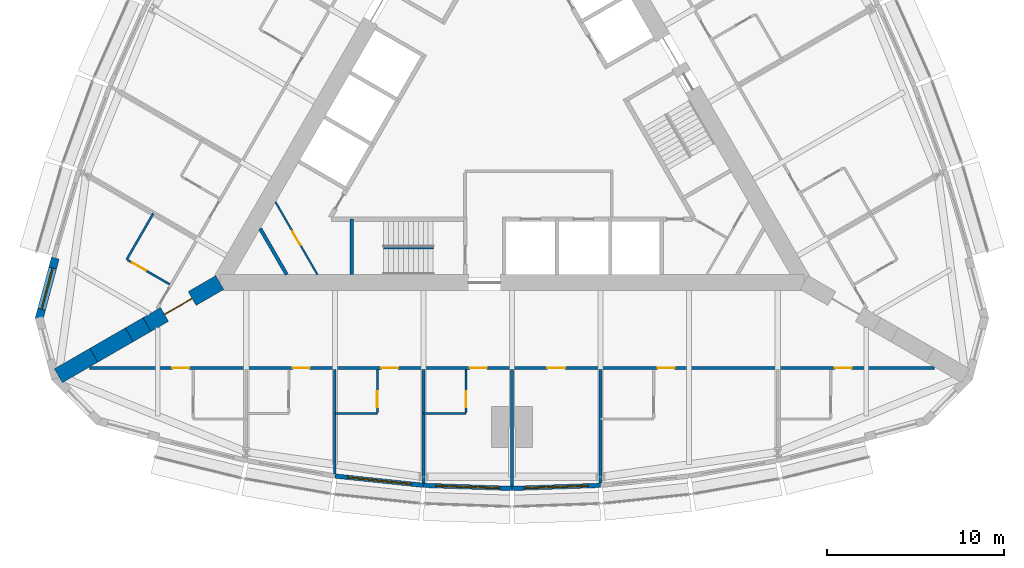
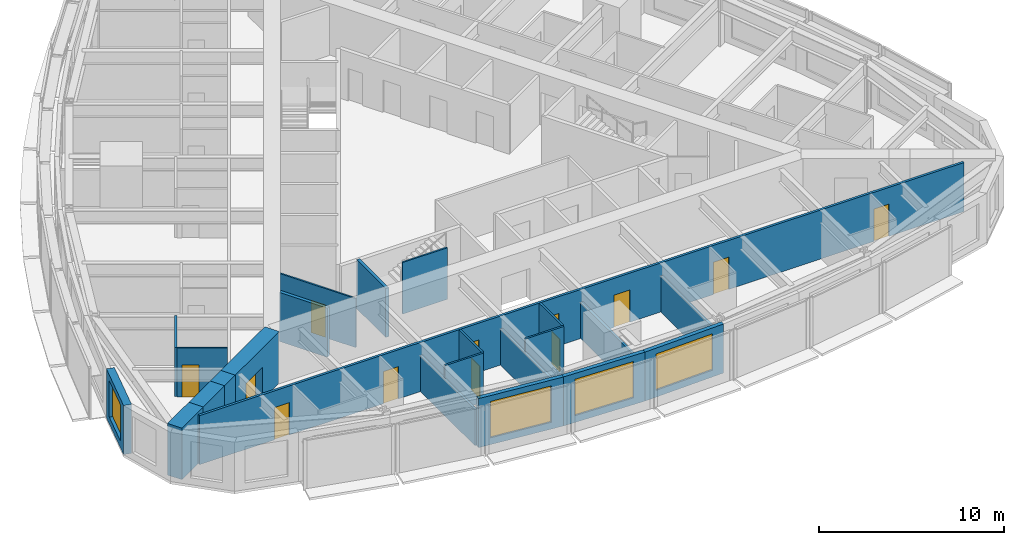
# One storey, part 8 of 14: 23 walls, 12 doors, 4 windows, 16 openings.
"""IFC4 building model written with IfcOpenShell, lengths in metres."""

from ifc_helpers import new_model, si_unit, direction, frame, frame_2d, origin, place, context, subcontext, project, spatial, rectangle, extrude, material, layer, layer_set, type_object, element, fill, save


model = new_model("IFC4")

# Units and contexts
model_context = context("Model", 3, precision=1e-05, world=origin(), true_north=direction((0.0, 1.0)))
body_context = subcontext(model_context, "Body", "Model", "MODEL_VIEW")
ifc_project = project(units=[si_unit("LENGTHUNIT", "METRE"), si_unit("AREAUNIT", "SQUARE_METRE"), si_unit("VOLUMEUNIT", "CUBIC_METRE"), si_unit("PLANEANGLEUNIT", "RADIAN"), si_unit("MASSUNIT", "GRAM", prefix="KILO")], contexts=[model_context])

# Site, building, storey
site_placement = place(None, origin())
site = spatial("IfcSite", under=ifc_project, at=site_placement, CompositionType="ELEMENT")
building_placement = place(site_placement, origin())
building = spatial("IfcBuilding", under=site, at=building_placement, Name="Trikona Tower", CompositionType="ELEMENT")
storey_placement = place(building_placement, frame((0.0, 0.0, 114.699951171875)))
storey = spatial("IfcBuildingStorey", under=building, at=storey_placement, Name="L29", CompositionType="ELEMENT", Elevation=114.699951171875)

# Wall
ifc_material_1 = material(Name="Metal stud and cement board", Category="gypsum")
ifc_layer_1 = layer(ifc_material_1, 0.1201171875)
ifc_layer_set_1 = layer_set([ifc_layer_1], Name="Bathroom wall 120")
wall_type_1 = type_object("IfcWallType", Name="Bathroom wall 120", PredefinedType="PLUMBINGWALL", material=ifc_layer_set_1)
wall_1_placement = place(storey_placement, frame((-10.0, -16.92626953125, 0.0), z_axis=(0.0, 0.0, 1.0), x_axis=(1.0, 0.0, 0.0)))
element("IfcWall", 1, at=wall_1_placement, inside=storey, type_object=wall_type_1, Name="Bathroom wall 2903", PredefinedType="PLUMBINGWALL", context=body_context, shape_type="SweptSolid", body=[
    extrude(rectangle(XDim=2.39990234375, YDim=0.1201171875, at=frame_2d((1.199951171875, 0.0))), origin(), (0.0, 0.0, 1.0), 3.235107421875),
])

# Wall, opening, door
wall_2_placement = place(storey_placement, frame((-7.60009765625, -14.42626953125, 0.0), z_axis=(0.0, 0.0, 1.0), x_axis=(0.0, -1.0, 0.0)))
wall_2 = element("IfcWall", 2, at=wall_2_placement, inside=storey, type_object=wall_type_1, Name="Bathroom wall 2903", PredefinedType="PLUMBINGWALL", context=body_context, shape_type="SweptSolid", body=[
    extrude(rectangle(XDim=2.43994140625, YDim=0.1201171875, at=frame_2d((1.219970703125, 0.0))), origin(), (0.0, 0.0, 1.0), 3.235107421875),
])
opening_1_placement = place(wall_2_placement, frame((1.25, 0.0, 0.0)))
opening_1 = element("IfcOpeningElement", 3, at=opening_1_placement, cuts=wall_2, Name="Opening D2", PredefinedType="OPENING", context=body_context, shape_type="SweptSolid", body=[
    extrude(rectangle(XDim=0.89990234375, YDim=2.1298828125, at=frame_2d((0.449951171875, 1.06494140625))), frame((0.0, 0.070068359375, 0.0), z_axis=(0.0, -1.0, 0.0), x_axis=(1.0, 0.0, 0.0)), (0.0, 0.0, 1.0), 0.14013671875),
])
ifc_material_2 = material(Name="Steel door frame with solid-core timber leaf", Category="steel")
door_type_1 = type_object("IfcDoorType", Name="Bathroom door 900x2130", OperationType="SLIDING_TO_LEFT", PredefinedType="DOOR", material=ifc_material_2)
door_1_placement = place(opening_1_placement, origin())
door_1 = element("IfcDoor", 4, at=door_1_placement, inside=storey, type_object=door_type_1, Name="Bathroom door 2903", OperationType="SLIDING_TO_LEFT", OverallHeight=2.1298828125, OverallWidth=0.89990234375, PredefinedType="DOOR", context=body_context, shape_type="SweptSolid", body=[
    extrude(rectangle(XDim=0.89990234375, YDim=2.1298828125, at=frame_2d((0.449951171875, 1.06494140625))), frame((0.0, 0.02490234375, 0.0), z_axis=(0.0, -1.0, 0.0), x_axis=(1.0, 0.0, 0.0)), (0.0, 0.0, 1.0), 0.050048828125),
])
fill(opening_1, door_1)

# Wall
wall_3_placement = place(storey_placement, frame((-5.0, -16.92626953125, 0.0), z_axis=(0.0, 0.0, 1.0), x_axis=(1.0, 0.0, 0.0)))
element("IfcWall", 5, at=wall_3_placement, inside=storey, type_object=wall_type_1, Name="Bathroom wall 2904", PredefinedType="PLUMBINGWALL", context=body_context, shape_type="SweptSolid", body=[
    extrude(rectangle(XDim=2.39990234375, YDim=0.1201171875, at=frame_2d((1.199951171875, 0.0))), origin(), (0.0, 0.0, 1.0), 3.235107421875),
])

# Wall, opening, door
wall_4_placement = place(storey_placement, frame((-2.60009765625, -14.42626953125, 0.0), z_axis=(0.0, 0.0, 1.0), x_axis=(0.0, -1.0, 0.0)))
wall_4 = element("IfcWall", 6, at=wall_4_placement, inside=storey, type_object=wall_type_1, Name="Bathroom wall 2904", PredefinedType="PLUMBINGWALL", context=body_context, shape_type="SweptSolid", body=[
    extrude(rectangle(XDim=2.43994140625, YDim=0.1201171875, at=frame_2d((1.219970703125, 0.0))), origin(), (0.0, 0.0, 1.0), 3.235107421875),
])
opening_2_placement = place(wall_4_placement, frame((1.25, 0.0, 0.0)))
opening_2 = element("IfcOpeningElement", 7, at=opening_2_placement, cuts=wall_4, Name="Opening D2", PredefinedType="OPENING", context=body_context, shape_type="SweptSolid", body=[
    extrude(rectangle(XDim=0.89990234375, YDim=2.1298828125, at=frame_2d((0.449951171875, 1.06494140625))), frame((0.0, 0.070068359375, 0.0), z_axis=(0.0, -1.0, 0.0), x_axis=(1.0, 0.0, 0.0)), (0.0, 0.0, 1.0), 0.14013671875),
])
door_2_placement = place(opening_2_placement, origin())
door_2 = element("IfcDoor", 8, at=door_2_placement, inside=storey, type_object=door_type_1, Name="Bathroom door 2904", OperationType="SLIDING_TO_LEFT", OverallHeight=2.1298828125, OverallWidth=0.89990234375, PredefinedType="DOOR", context=body_context, shape_type="SweptSolid", body=[
    extrude(rectangle(XDim=0.89990234375, YDim=2.1298828125, at=frame_2d((0.449951171875, 1.06494140625))), frame((0.0, 0.02490234375, 0.0), z_axis=(0.0, -1.0, 0.0), x_axis=(1.0, 0.0, 0.0)), (0.0, 0.0, 1.0), 0.050048828125),
])
fill(opening_2, door_2)

# Wall
wall_5_placement = place(storey_placement, frame((-20.25341796875, -5.627197265625, 0.0), z_axis=(0.0, 0.0, 1.0), x_axis=(-0.499990139034, -0.866031096941, 0.0)))
element("IfcWall", 9, at=wall_5_placement, inside=storey, type_object=wall_type_1, Name="Bathroom wall 2919", PredefinedType="PLUMBINGWALL", context=body_context, shape_type="SweptSolid", body=[
    extrude(rectangle(XDim=3.0, YDim=0.1201171875, at=frame_2d((1.5, 0.0))), origin(), (0.0, 0.0, 1.0), 3.235107421875),
])

# Wall, opening, door
wall_6_placement = place(storey_placement, frame((-19.32861328125, -9.625244140625, 0.0), z_axis=(0.0, 0.0, 1.0), x_axis=(-0.866035715982, 0.499982138324, 0.0)))
wall_6 = element("IfcWall", 10, at=wall_6_placement, inside=storey, type_object=wall_type_1, Name="Bathroom wall 2919", PredefinedType="PLUMBINGWALL", context=body_context, shape_type="SweptSolid", body=[
    extrude(rectangle(XDim=2.73974609375, YDim=0.1201171875, at=frame_2d((1.369873046875, 0.0))), origin(), (0.0, 0.0, 1.0), 3.235107421875),
])
opening_3_placement = place(wall_6_placement, frame((1.550048828125, 0.0, 0.0)))
opening_3 = element("IfcOpeningElement", 11, at=opening_3_placement, cuts=wall_6, Name="Opening D2", PredefinedType="OPENING", context=body_context, shape_type="SweptSolid", body=[
    extrude(rectangle(XDim=0.89990234375, YDim=2.1298828125, at=frame_2d((0.449951171875, 1.06494140625))), frame((0.0, 0.070068359375, 0.0), z_axis=(0.0, -1.0, 0.0), x_axis=(1.0, 0.0, 0.0)), (0.0, 0.0, 1.0), 0.14013671875),
])
door_3_placement = place(opening_3_placement, origin())
door_3 = element("IfcDoor", 12, at=door_3_placement, inside=storey, type_object=door_type_1, Name="Bathroom door 2919", OperationType="SLIDING_TO_LEFT", OverallHeight=2.1298828125, OverallWidth=0.89990234375, PredefinedType="DOOR", context=body_context, shape_type="SweptSolid", body=[
    extrude(rectangle(XDim=0.89990234375, YDim=2.1298828125, at=frame_2d((0.449951171875, 1.06494140625))), frame((0.0, 0.02490234375, 0.0), z_axis=(0.0, -1.0, 0.0), x_axis=(1.0, 0.0, 0.0)), (0.0, 0.0, 1.0), 0.050048828125),
])
fill(opening_3, door_3)

# Wall, opening, window
ifc_material_3 = material(Name="Brick-faced precast concrete", Category="masonry")
ifc_layer_2 = layer(ifc_material_3, 0.449951171875)
ifc_layer_set_2 = layer_set([ifc_layer_2], Name="Brick-faced corner wall 450")
wall_type_2 = type_object("IfcWallType", Name="Brick-faced corner wall 450", PredefinedType="SOLIDWALL", material=ifc_layer_set_2)
wall_7_placement = place(storey_placement, frame((-25.78271484375, -8.14111328125, 0.0), z_axis=(0.0, 0.0, 1.0), x_axis=(-0.258823421857, -0.965924653531, 0.0)))
wall_7 = element("IfcWall", 13, at=wall_7_placement, inside=storey, type_object=wall_type_2, Name="External wall L29-32", PredefinedType="SOLIDWALL", context=body_context, shape_type="SweptSolid", body=[
    extrude(rectangle(XDim=3.58642578125, YDim=0.449951171875, at=frame_2d((1.793212890625, 0.0))), origin(), (0.0, 0.0, 1.0), 3.235107421875),
])
opening_4_placement = place(wall_7_placement, frame((0.593017578125, 0.0, 0.449951171875)))
opening_4 = element("IfcOpeningElement", 14, at=opening_4_placement, cuts=wall_7, Name="Opening W2424", PredefinedType="OPENING", context=body_context, shape_type="SweptSolid", body=[
    extrude(rectangle(XDim=2.39990234375, YDim=2.39990234375, at=frame_2d((1.199951171875, 1.199951171875))), frame((0.0, 0.23486328125, 0.0), z_axis=(0.0, -1.0, 0.0), x_axis=(1.0, 0.0, 0.0)), (0.0, 0.0, 1.0), 0.469970703125),
])
ifc_material_4 = material(Name="Aluminium-framed double glazing", Category="aluminium")
window_type_1 = type_object("IfcWindowType", Name="Window 2400x2400", PartitioningType="SINGLE_PANEL", PredefinedType="WINDOW", material=ifc_material_4)
window_1_placement = place(opening_4_placement, origin())
window_1 = element("IfcWindow", 15, at=window_1_placement, inside=storey, type_object=window_type_1, Name="Window 2919", OverallHeight=2.39990234375, OverallWidth=2.39990234375, PartitioningType="SINGLE_PANEL", PredefinedType="WINDOW", context=body_context, shape_type="SweptSolid", body=[
    extrude(rectangle(XDim=2.39990234375, YDim=2.39990234375, at=frame_2d((1.199951171875, 1.199951171875))), frame((0.0, 0.030029296875, 0.0), z_axis=(0.0, -1.0, 0.0), x_axis=(1.0, 0.0, 0.0)), (0.0, 0.0, 1.0), 0.06005859375),
])
fill(opening_4, window_1)

# Wall, opening, door
ifc_material_5 = material(Name="Concrete f'c 10000 psi", Category="concrete")
ifc_layer_3 = layer(ifc_material_5, 0.89990234375)
ifc_layer_set_3 = layer_set([ifc_layer_3], Name="Buttress wall 900")
wall_type_3 = type_object("IfcWallType", Name="Buttress wall 900", PredefinedType="SHEAR", material=ifc_layer_set_3)
wall_8_placement = place(storey_placement, frame((-16.5, -9.5263671875, 0.0), z_axis=(0.0, 0.0, 1.0), x_axis=(-0.866031398331, -0.499989616998, 0.0)))
wall_8 = element("IfcWall", 16, at=wall_8_placement, inside=storey, type_object=wall_type_3, Name="Buttress wall 3", PredefinedType="SHEAR", context=body_context, shape_type="SweptSolid", body=[
    extrude(rectangle(XDim=4.74609375, YDim=0.89990234375, at=frame_2d((2.373046875, 0.0))), origin(), (0.0, 0.0, 1.0), 3.400146484375),
])
opening_5_placement = place(wall_8_placement, frame((1.800048828125, 0.0, 0.0)))
opening_5 = element("IfcOpeningElement", 17, at=opening_5_placement, cuts=wall_8, Name="Opening D10", PredefinedType="OPENING", context=body_context, shape_type="SweptSolid", body=[
    extrude(rectangle(XDim=1.800048828125, YDim=2.1298828125, at=frame_2d((0.89990234375, 1.06494140625))), frame((0.0, 0.4599609375, 0.0), z_axis=(0.0, -1.0, 0.0), x_axis=(1.0, 0.0, 0.0)), (0.0, 0.0, 1.0), 0.919921875),
])
ifc_material_6 = material(Name="Hollow metal door and frame", Category="steel")
door_type_2 = type_object("IfcDoorType", Name="Cross-corridor door pair 1800x2130", OperationType="DOUBLE_DOOR_DOUBLE_SWING", PredefinedType="DOOR", material=ifc_material_6)
door_4_placement = place(opening_5_placement, origin())
door_4 = element("IfcDoor", 18, at=door_4_placement, inside=storey, type_object=door_type_2, Name="Cross-corridor door 3", OperationType="DOUBLE_DOOR_DOUBLE_SWING", OverallHeight=2.1298828125, OverallWidth=1.800048828125, PredefinedType="DOOR", context=body_context, shape_type="SweptSolid", body=[
    extrude(rectangle(XDim=1.800048828125, YDim=2.1298828125, at=frame_2d((0.89990234375, 1.06494140625))), frame((0.0, 0.02490234375, 0.0), z_axis=(0.0, -1.0, 0.0), x_axis=(1.0, 0.0, 0.0)), (0.0, 0.0, 1.0), 0.050048828125),
])
fill(opening_5, door_4)

# Walls
wall_9_placement = place(storey_placement, frame((-20.6103515625, -11.8994140625, 0.0), z_axis=(0.0, 0.0, 1.0), x_axis=(-0.866009537788, -0.500027479704, 0.0)))
element("IfcWall", 19, at=wall_9_placement, inside=storey, type_object=wall_type_3, Name="Buttress wall 3 part 2", PredefinedType="SHEAR", context=body_context, shape_type="SweptSolid", body=[
    extrude(rectangle(XDim=1.15478515625, YDim=0.89990234375, at=frame_2d((0.577392578125, 0.0))), origin(), (0.0, 0.0, 1.0), 3.400146484375),
])
for number, where, z_axis, x_axis, name in (
    (20, (-21.6103515625, -12.476806640625, 0.0), (0.0, 0.0, 1.0), (-0.866055313784, -0.499948190782, 0.0), "Buttress wall 3 part 3"),
    (21, (-23.6103515625, -13.63134765625, 0.0), (0.0, 0.0, 1.0), (-0.866009537788, -0.500027479704, 0.0), "Buttress wall 3 part 4"),
):
    element("IfcWall", number, at=place(storey_placement, frame(where, z_axis=z_axis, x_axis=x_axis)), inside=storey, type_object=wall_type_3, Name=name, PredefinedType="SHEAR", context=body_context, shape_type="SweptSolid", body=[
        extrude(rectangle(XDim=2.309326171875, YDim=0.89990234375, at=frame_2d((1.15478515625, 0.0))), origin(), (0.0, 0.0, 1.0), 3.400146484375),
    ])

# Wall, openings, doors
ifc_material_7 = material(Name="Metal stud and gypsum board, 1-hour", Category="gypsum")
ifc_layer_4 = layer(ifc_material_7, 0.14990234375)
ifc_layer_set_4 = layer_set([ifc_layer_4], Name="Corridor wall 150")
wall_type_4 = type_object("IfcWallType", Name="Corridor wall 150", PredefinedType="PARTITIONING", material=ifc_layer_set_4)
wall_10_placement = place(storey_placement, frame((-23.857177734375, -14.351318359375, 0.0), z_axis=(0.0, 0.0, 1.0), x_axis=(1.0, 0.0, 0.0)))
wall_10 = element("IfcWall", 22, at=wall_10_placement, inside=storey, type_object=wall_type_4, Name="Corridor wall L29-1", PredefinedType="PARTITIONING", context=body_context, shape_type="SweptSolid", body=[
    extrude(rectangle(XDim=47.71435546875, YDim=0.14990234375, at=frame_2d((23.857177734375, 0.0))), origin(), (0.0, 0.0, 1.0), 3.235107421875),
])
opening_6_placement = place(wall_10_placement, frame((4.68212890625, 0.0, 0.0)))
opening_6 = element("IfcOpeningElement", 23, at=opening_6_placement, cuts=wall_10, Name="Opening D1", PredefinedType="OPENING", context=body_context, shape_type="SweptSolid", body=[
    extrude(rectangle(XDim=0.949951171875, YDim=2.1298828125, at=frame_2d((0.47509765625, 1.06494140625))), frame((0.0, 0.0849609375, 0.0), z_axis=(0.0, -1.0, 0.0), x_axis=(1.0, 0.0, 0.0)), (0.0, 0.0, 1.0), 0.169921875),
])
opening_7_placement = place(wall_10_placement, frame((11.482177734375, 0.0, 0.0)))
opening_7 = element("IfcOpeningElement", 24, at=opening_7_placement, cuts=wall_10, Name="Opening D1", PredefinedType="OPENING", context=body_context, shape_type="SweptSolid", body=[
    extrude(rectangle(XDim=0.949951171875, YDim=2.1298828125, at=frame_2d((0.47509765625, 1.06494140625))), frame((0.0, 0.0849609375, 0.0), z_axis=(0.0, -1.0, 0.0), x_axis=(1.0, 0.0, 0.0)), (0.0, 0.0, 1.0), 0.169921875),
])
opening_8_placement = place(wall_10_placement, frame((16.482177734375, 0.0, 0.0)))
opening_8 = element("IfcOpeningElement", 25, at=opening_8_placement, cuts=wall_10, Name="Opening D1", PredefinedType="OPENING", context=body_context, shape_type="SweptSolid", body=[
    extrude(rectangle(XDim=0.949951171875, YDim=2.1298828125, at=frame_2d((0.47509765625, 1.06494140625))), frame((0.0, 0.0849609375, 0.0), z_axis=(0.0, -1.0, 0.0), x_axis=(1.0, 0.0, 0.0)), (0.0, 0.0, 1.0), 0.169921875),
])
opening_9_placement = place(wall_10_placement, frame((21.482177734375, 0.0, 0.0)))
opening_9 = element("IfcOpeningElement", 26, at=opening_9_placement, cuts=wall_10, Name="Opening D1", PredefinedType="OPENING", context=body_context, shape_type="SweptSolid", body=[
    extrude(rectangle(XDim=0.949951171875, YDim=2.1298828125, at=frame_2d((0.47509765625, 1.06494140625))), frame((0.0, 0.0849609375, 0.0), z_axis=(0.0, -1.0, 0.0), x_axis=(1.0, 0.0, 0.0)), (0.0, 0.0, 1.0), 0.169921875),
])
opening_10_placement = place(wall_10_placement, frame((25.857177734375, 0.0, 0.0)))
opening_10 = element("IfcOpeningElement", 27, at=opening_10_placement, cuts=wall_10, Name="Opening D3", PredefinedType="OPENING", context=body_context, shape_type="SweptSolid", body=[
    extrude(rectangle(XDim=1.0, YDim=2.1298828125, at=frame_2d((0.5, 1.06494140625))), frame((0.0, 0.0849609375, 0.0), z_axis=(0.0, -1.0, 0.0), x_axis=(1.0, 0.0, 0.0)), (0.0, 0.0, 1.0), 0.169921875),
])
opening_11_placement = place(wall_10_placement, frame((32.08203125, 0.0, 0.0)))
opening_11 = element("IfcOpeningElement", 28, at=opening_11_placement, cuts=wall_10, Name="Opening D1", PredefinedType="OPENING", context=body_context, shape_type="SweptSolid", body=[
    extrude(rectangle(XDim=0.949951171875, YDim=2.1298828125, at=frame_2d((0.47509765625, 1.06494140625))), frame((0.0, 0.0849609375, 0.0), z_axis=(0.0, -1.0, 0.0), x_axis=(1.0, 0.0, 0.0)), (0.0, 0.0, 1.0), 0.169921875),
])
opening_12_placement = place(wall_10_placement, frame((42.08203125, 0.0, 0.0)))
opening_12 = element("IfcOpeningElement", 29, at=opening_12_placement, cuts=wall_10, Name="Opening D1", PredefinedType="OPENING", context=body_context, shape_type="SweptSolid", body=[
    extrude(rectangle(XDim=0.949951171875, YDim=2.1298828125, at=frame_2d((0.47509765625, 1.06494140625))), frame((0.0, 0.0849609375, 0.0), z_axis=(0.0, -1.0, 0.0), x_axis=(1.0, 0.0, 0.0)), (0.0, 0.0, 1.0), 0.169921875),
])
ifc_material_8 = material(Name="Steel door frame with solid-core timber leaf", Category="steel")
door_type_3 = type_object("IfcDoorType", Name="Guest room door 950x2130", OperationType="SINGLE_SWING_LEFT", PredefinedType="DOOR", material=ifc_material_8)
door_5_placement = place(opening_6_placement, origin())
door_5 = element("IfcDoor", 30, at=door_5_placement, inside=storey, type_object=door_type_3, Name="Room door 2901", OperationType="SINGLE_SWING_LEFT", OverallHeight=2.1298828125, OverallWidth=0.949951171875, PredefinedType="DOOR", context=body_context, shape_type="SweptSolid", body=[
    extrude(rectangle(XDim=0.949951171875, YDim=2.1298828125, at=frame_2d((0.47509765625, 1.06494140625))), frame((0.0, 0.02490234375, 0.0), z_axis=(0.0, -1.0, 0.0), x_axis=(1.0, 0.0, 0.0)), (0.0, 0.0, 1.0), 0.050048828125),
])
fill(opening_6, door_5)
door_6_placement = place(opening_7_placement, origin())
door_6 = element("IfcDoor", 31, at=door_6_placement, inside=storey, type_object=door_type_3, Name="Room door 2902", OperationType="SINGLE_SWING_RIGHT", OverallHeight=2.1298828125, OverallWidth=0.949951171875, PredefinedType="DOOR", context=body_context, shape_type="SweptSolid", body=[
    extrude(rectangle(XDim=0.949951171875, YDim=2.1298828125, at=frame_2d((0.47509765625, 1.06494140625))), frame((0.0, 0.02490234375, 0.0), z_axis=(0.0, -1.0, 0.0), x_axis=(1.0, 0.0, 0.0)), (0.0, 0.0, 1.0), 0.050048828125),
])
fill(opening_7, door_6)
door_7_placement = place(opening_8_placement, origin())
door_7 = element("IfcDoor", 32, at=door_7_placement, inside=storey, type_object=door_type_3, Name="Room door 2903", OperationType="SINGLE_SWING_LEFT", OverallHeight=2.1298828125, OverallWidth=0.949951171875, PredefinedType="DOOR", context=body_context, shape_type="SweptSolid", body=[
    extrude(rectangle(XDim=0.949951171875, YDim=2.1298828125, at=frame_2d((0.47509765625, 1.06494140625))), frame((0.0, 0.02490234375, 0.0), z_axis=(0.0, -1.0, 0.0), x_axis=(1.0, 0.0, 0.0)), (0.0, 0.0, 1.0), 0.050048828125),
])
fill(opening_8, door_7)
door_8_placement = place(opening_9_placement, origin())
door_8 = element("IfcDoor", 33, at=door_8_placement, inside=storey, type_object=door_type_3, Name="Room door 2904", OperationType="SINGLE_SWING_RIGHT", OverallHeight=2.1298828125, OverallWidth=0.949951171875, PredefinedType="DOOR", context=body_context, shape_type="SweptSolid", body=[
    extrude(rectangle(XDim=0.949951171875, YDim=2.1298828125, at=frame_2d((0.47509765625, 1.06494140625))), frame((0.0, 0.02490234375, 0.0), z_axis=(0.0, -1.0, 0.0), x_axis=(1.0, 0.0, 0.0)), (0.0, 0.0, 1.0), 0.050048828125),
])
fill(opening_9, door_8)
door_9_placement = place(opening_11_placement, origin())
door_9 = element("IfcDoor", 34, at=door_9_placement, inside=storey, type_object=door_type_3, Name="Room door 2905", OperationType="SINGLE_SWING_RIGHT", OverallHeight=2.1298828125, OverallWidth=0.949951171875, PredefinedType="DOOR", context=body_context, shape_type="SweptSolid", body=[
    extrude(rectangle(XDim=0.949951171875, YDim=2.1298828125, at=frame_2d((0.47509765625, 1.06494140625))), frame((0.0, 0.02490234375, 0.0), z_axis=(0.0, -1.0, 0.0), x_axis=(1.0, 0.0, 0.0)), (0.0, 0.0, 1.0), 0.050048828125),
])
fill(opening_11, door_9)
door_10_placement = place(opening_12_placement, origin())
door_10 = element("IfcDoor", 35, at=door_10_placement, inside=storey, type_object=door_type_3, Name="Room door 2906", OperationType="SINGLE_SWING_LEFT", OverallHeight=2.1298828125, OverallWidth=0.949951171875, PredefinedType="DOOR", context=body_context, shape_type="SweptSolid", body=[
    extrude(rectangle(XDim=0.949951171875, YDim=2.1298828125, at=frame_2d((0.47509765625, 1.06494140625))), frame((0.0, 0.02490234375, 0.0), z_axis=(0.0, -1.0, 0.0), x_axis=(1.0, 0.0, 0.0)), (0.0, 0.0, 1.0), 0.050048828125),
])
fill(opening_12, door_10)
ifc_material_9 = material(Name="Steel door frame with solid-core timber leaf", Category="steel")
door_type_4 = type_object("IfcDoorType", Name="Room door 1000x2130", OperationType="SINGLE_SWING_LEFT", PredefinedType="DOOR", material=ifc_material_9)
door_11_placement = place(opening_10_placement, origin())
door_11 = element("IfcDoor", 36, at=door_11_placement, inside=storey, type_object=door_type_4, Name="Door Housekeeping pantry", OperationType="SINGLE_SWING_LEFT", OverallHeight=2.1298828125, OverallWidth=1.0, PredefinedType="DOOR", context=body_context, shape_type="SweptSolid", body=[
    extrude(rectangle(XDim=1.0, YDim=2.1298828125, at=frame_2d((0.5, 1.06494140625))), frame((0.0, 0.02490234375, 0.0), z_axis=(0.0, -1.0, 0.0), x_axis=(1.0, 0.0, 0.0)), (0.0, 0.0, 1.0), 0.050048828125),
])
fill(opening_10, door_11)

# Wall, opening, window
ifc_material_10 = material(Name="Insulated precast concrete spandrel panel", Category="concrete")
ifc_layer_5 = layer(ifc_material_10, 0.25)
ifc_layer_set_5 = layer_set([ifc_layer_5], Name="Inner skin wall 250")
wall_type_5 = type_object("IfcWallType", Name="Inner skin wall 250", PredefinedType="STANDARD", material=ifc_layer_set_5)
wall_11_placement = place(storey_placement, frame((-9.98681640625, -20.450927734375, 0.0), z_axis=(0.0, 0.0, 1.0), x_axis=(0.994534683851, -0.104406717299, 0.0)))
wall_11 = element("IfcWall", 37, at=wall_11_placement, inside=storey, type_object=wall_type_5, Name="External wall L29-02", PredefinedType="STANDARD", context=body_context, shape_type="SweptSolid", body=[
    extrude(rectangle(XDim=5.027587890625, YDim=0.25, at=frame_2d((2.513671875, 0.0))), origin(), (0.0, 0.0, 1.0), 3.235107421875),
])
opening_13_placement = place(wall_11_placement, frame((0.713623046875, 0.0, 0.449951171875)))
opening_13 = element("IfcOpeningElement", 38, at=opening_13_placement, cuts=wall_11, Name="Opening W3624", PredefinedType="OPENING", context=body_context, shape_type="SweptSolid", body=[
    extrude(rectangle(XDim=3.60009765625, YDim=2.39990234375, at=frame_2d((1.800048828125, 1.199951171875))), frame((0.0, 0.135009765625, 0.0), z_axis=(0.0, -1.0, 0.0), x_axis=(1.0, 0.0, 0.0)), (0.0, 0.0, 1.0), 0.27001953125),
])
ifc_material_11 = material(Name="Aluminium-framed double glazing", Category="aluminium")
window_type_2 = type_object("IfcWindowType", Name="Window 3600x2400", PartitioningType="SINGLE_PANEL", PredefinedType="WINDOW", material=ifc_material_11)
window_2_placement = place(opening_13_placement, origin())
window_2 = element("IfcWindow", 39, at=window_2_placement, inside=storey, type_object=window_type_2, Name="Window 2903", OverallHeight=2.39990234375, OverallWidth=3.60009765625, PartitioningType="SINGLE_PANEL", PredefinedType="WINDOW", context=body_context, shape_type="SweptSolid", body=[
    extrude(rectangle(XDim=3.60009765625, YDim=2.39990234375, at=frame_2d((1.800048828125, 1.199951171875))), frame((0.0, 0.030029296875, 0.0), z_axis=(0.0, -1.0, 0.0), x_axis=(1.0, 0.0, 0.0)), (0.0, 0.0, 1.0), 0.06005859375),
])
fill(opening_13, window_2)

wall_12_placement = place(storey_placement, frame((-4.99560546875, -20.975341796875, 0.0), z_axis=(0.0, 0.0, 1.0), x_axis=(0.999387720943, -0.034988329879, 0.0)))
wall_12 = element("IfcWall", 40, at=wall_12_placement, inside=storey, type_object=wall_type_5, Name="External wall L29-03", PredefinedType="STANDARD", context=body_context, shape_type="SweptSolid", body=[
    extrude(rectangle(XDim=5.003173828125, YDim=0.25, at=frame_2d((2.50146484375, 0.0))), origin(), (0.0, 0.0, 1.0), 3.235107421875),
])
opening_14_placement = place(wall_12_placement, frame((0.701416015625, 0.0, 0.449951171875)))
opening_14 = element("IfcOpeningElement", 41, at=opening_14_placement, cuts=wall_12, Name="Opening W3624", PredefinedType="OPENING", context=body_context, shape_type="SweptSolid", body=[
    extrude(rectangle(XDim=3.60009765625, YDim=2.39990234375, at=frame_2d((1.800048828125, 1.199951171875))), frame((0.0, 0.135009765625, 0.0), z_axis=(0.0, -1.0, 0.0), x_axis=(1.0, 0.0, 0.0)), (0.0, 0.0, 1.0), 0.27001953125),
])
window_3_placement = place(opening_14_placement, origin())
window_3 = element("IfcWindow", 42, at=window_3_placement, inside=storey, type_object=window_type_2, Name="Window 2904", OverallHeight=2.39990234375, OverallWidth=3.60009765625, PartitioningType="SINGLE_PANEL", PredefinedType="WINDOW", context=body_context, shape_type="SweptSolid", body=[
    extrude(rectangle(XDim=3.60009765625, YDim=2.39990234375, at=frame_2d((1.800048828125, 1.199951171875))), frame((0.0, 0.030029296875, 0.0), z_axis=(0.0, -1.0, 0.0), x_axis=(1.0, 0.0, 0.0)), (0.0, 0.0, 1.0), 0.06005859375),
])
fill(opening_14, window_3)

wall_13_placement = place(storey_placement, frame((-0.00439453125, -21.150390625, 0.0), z_axis=(0.0, 0.0, 1.0), x_axis=(0.999387720943, 0.034988329879, 0.0)))
wall_13 = element("IfcWall", 43, at=wall_13_placement, inside=storey, type_object=wall_type_5, Name="External wall L29-04", PredefinedType="STANDARD", context=body_context, shape_type="SweptSolid", body=[
    extrude(rectangle(XDim=5.003173828125, YDim=0.25, at=frame_2d((2.50146484375, 0.0))), origin(), (0.0, 0.0, 1.0), 3.235107421875),
])
opening_15_placement = place(wall_13_placement, frame((0.701416015625, 0.0, 0.449951171875)))
opening_15 = element("IfcOpeningElement", 44, at=opening_15_placement, cuts=wall_13, Name="Opening W3624", PredefinedType="OPENING", context=body_context, shape_type="SweptSolid", body=[
    extrude(rectangle(XDim=3.60009765625, YDim=2.39990234375, at=frame_2d((1.800048828125, 1.199951171875))), frame((0.0, 0.135009765625, 0.0), z_axis=(0.0, -1.0, 0.0), x_axis=(1.0, 0.0, 0.0)), (0.0, 0.0, 1.0), 0.27001953125),
])
window_4_placement = place(opening_15_placement, origin())
window_4 = element("IfcWindow", 45, at=window_4_placement, inside=storey, type_object=window_type_2, Name="Window L29-HKP", OverallHeight=2.39990234375, OverallWidth=3.60009765625, PartitioningType="SINGLE_PANEL", PredefinedType="WINDOW", context=body_context, shape_type="SweptSolid", body=[
    extrude(rectangle(XDim=3.60009765625, YDim=2.39990234375, at=frame_2d((1.800048828125, 1.199951171875))), frame((0.0, 0.030029296875, 0.0), z_axis=(0.0, -1.0, 0.0), x_axis=(1.0, 0.0, 0.0)), (0.0, 0.0, 1.0), 0.06005859375),
])
fill(opening_15, window_4)

# Walls
ifc_material_12 = material(Name="Metal stud and gypsum board, 1-hour acoustic", Category="gypsum")
ifc_layer_6 = layer(ifc_material_12, 0.14990234375)
ifc_layer_set_6 = layer_set([ifc_layer_6], Name="Party wall 150")
wall_type_6 = type_object("IfcWallType", Name="Party wall 150", PredefinedType="PARTITIONING", material=ifc_layer_set_6)
wall_14_placement = place(storey_placement, frame((-10.0, -14.42626953125, 0.0), z_axis=(0.0, 0.0, 1.0), x_axis=(0.0, -1.0, 0.0)))
element("IfcWall", 46, at=wall_14_placement, inside=storey, type_object=wall_type_6, Name="Partition L29 F1 u-10", PredefinedType="PARTITIONING", context=body_context, shape_type="SweptSolid", body=[
    extrude(rectangle(XDim=5.89501953125, YDim=0.14990234375, at=frame_2d((2.947509765625, 0.0))), origin(), (0.0, 0.0, 1.0), 2.38916015625),
])
wall_15_placement = place(storey_placement, frame((-5.0, -14.42626953125, 0.0), z_axis=(0.0, 0.0, 1.0), x_axis=(0.0, -1.0, 0.0)))
element("IfcWall", 47, at=wall_15_placement, inside=storey, type_object=wall_type_6, Name="Partition L29 F1 u-5", PredefinedType="PARTITIONING", context=body_context, shape_type="SweptSolid", body=[
    extrude(rectangle(XDim=6.422607421875, YDim=0.14990234375, at=frame_2d((3.21142578125, 0.0))), origin(), (0.0, 0.0, 1.0), 2.38916015625),
])
wall_16_placement = place(storey_placement, frame((0.0, -14.42626953125, 0.0), z_axis=(0.0, 0.0, 1.0), x_axis=(0.0, -1.0, 0.0)))
element("IfcWall", 48, at=wall_16_placement, inside=storey, type_object=wall_type_6, Name="Partition L29 F1 u-9.86076e-31", PredefinedType="PARTITIONING", context=body_context, shape_type="SweptSolid", body=[
    extrude(rectangle(XDim=6.5986328125, YDim=0.14990234375, at=frame_2d((3.29931640625, 0.0))), origin(), (0.0, 0.0, 1.0), 2.38916015625),
])
wall_17_placement = place(storey_placement, frame((5.0, -14.42626953125, 0.0), z_axis=(0.0, 0.0, 1.0), x_axis=(0.0, -1.0, 0.0)))
element("IfcWall", 49, at=wall_17_placement, inside=storey, type_object=wall_type_6, Name="Partition L29 F1 u5", PredefinedType="PARTITIONING", context=body_context, shape_type="SweptSolid", body=[
    extrude(rectangle(XDim=6.422607421875, YDim=0.14990234375, at=frame_2d((3.21142578125, 0.0))), origin(), (0.0, 0.0, 1.0), 2.38916015625),
])
ifc_material_13 = material(Name="Concrete f'c 8000 psi", Category="concrete")
ifc_layer_7 = layer(ifc_material_13, 0.199951171875)
ifc_layer_set_7 = layer_set([ifc_layer_7], Name="Shaft wall 200")
wall_type_7 = type_object("IfcWallType", Name="Shaft wall 200", PredefinedType="SOLIDWALL", material=ifc_layer_set_7)
wall_18_placement = place(storey_placement, frame((-12.718505859375, -9.076416015625, 0.0), z_axis=(0.0, 0.0, 1.0), x_axis=(-0.499952404951, 0.866052881055, 0.0)))
element("IfcWall", 50, at=wall_18_placement, inside=storey, type_object=wall_type_7, Name="Riser wall L29-RS3", PredefinedType="SOLIDWALL", context=body_context, shape_type="SweptSolid", body=[
    extrude(rectangle(XDim=3.002197265625, YDim=0.199951171875, at=frame_2d((1.5009765625, 0.0))), origin(), (0.0, 0.0, 1.0), 3.235107421875),
])
ifc_material_14 = material(Name="Concrete f'c 8000 psi", Category="concrete")
ifc_layer_8 = layer(ifc_material_14, 0.199951171875)
ifc_layer_set_8 = layer_set([ifc_layer_8], Name="Shaft wall 200 load-bearing")
wall_type_8 = type_object("IfcWallType", Name="Shaft wall 200 load-bearing", PredefinedType="SOLIDWALL", material=ifc_layer_set_8)
wall_19_placement = place(storey_placement, frame((-9.050048828125, -5.951416015625, 0.0), z_axis=(0.0, 0.0, 1.0), x_axis=(0.0, -1.0, 0.0)))
element("IfcWall", 51, at=wall_19_placement, inside=storey, type_object=wall_type_8, Name="Shaft wall A1", PredefinedType="SOLIDWALL", context=body_context, shape_type="SweptSolid", body=[
    extrude(rectangle(XDim=3.125, YDim=0.199951171875, at=frame_2d((1.5625, 0.0))), origin(), (0.0, 0.0, 1.0), 3.235107421875),
])
ifc_material_15 = material(Name="Concrete f'c 5000 psi", Category="concrete")
ifc_layer_9 = layer(ifc_material_15, 0.10009765625)
ifc_layer_set_9 = layer_set([ifc_layer_9], Name="Stair spine wall 100")
wall_type_9 = type_object("IfcWallType", Name="Stair spine wall 100", PredefinedType="SOLIDWALL", material=ifc_layer_set_9)
wall_20_placement = place(storey_placement, frame((-7.2470703125, -7.576416015625, 0.0), z_axis=(0.0, 0.0, 1.0), x_axis=(1.0, 0.0, 0.0)))
element("IfcWall", 52, at=wall_20_placement, inside=storey, type_object=wall_type_9, Name="Stair A spine wall L29", PredefinedType="SOLIDWALL", context=body_context, shape_type="SweptSolid", body=[
    extrude(rectangle(XDim=2.794189453125, YDim=0.10009765625, at=frame_2d((1.39697265625, 0.0))), origin(), (0.0, 0.0, 1.0), 3.400146484375),
])

# Wall, opening, door
ifc_material_16 = material(Name="Metal stud and gypsum board, acoustic", Category="gypsum")
ifc_layer_10 = layer(ifc_material_16, 0.10009765625)
ifc_layer_set_10 = layer_set([ifc_layer_10], Name="Suite partition 100")
wall_type_10 = type_object("IfcWallType", Name="Suite partition 100", PredefinedType="PARTITIONING", material=ifc_layer_set_10)
wall_21_placement = place(storey_placement, frame((-10.986328125, -9.076416015625, 0.0), z_axis=(0.0, 0.0, 1.0), x_axis=(-0.499999210213, 0.866025859768, 0.0)))
wall_21 = element("IfcWall", 53, at=wall_21_placement, inside=storey, type_object=wall_type_10, Name="Store partition L29-RS3", PredefinedType="PARTITIONING", context=body_context, shape_type="SweptSolid", body=[
    extrude(rectangle(XDim=4.734375, YDim=0.10009765625, at=frame_2d((2.3671875, 0.0))), origin(), (0.0, 0.0, 1.0), 3.235107421875),
])
opening_16_placement = place(wall_21_placement, frame((1.917236328125, 0.0, 0.0)))
opening_16 = element("IfcOpeningElement", 54, at=opening_16_placement, cuts=wall_21, Name="Opening D15", PredefinedType="OPENING", context=body_context, shape_type="SweptSolid", body=[
    extrude(rectangle(XDim=0.89990234375, YDim=2.1298828125, at=frame_2d((0.449951171875, 1.06494140625))), frame((0.0, 0.06005859375, 0.0), z_axis=(0.0, -1.0, 0.0), x_axis=(1.0, 0.0, 0.0)), (0.0, 0.0, 1.0), 0.1201171875),
])
ifc_material_17 = material(Name="Steel door frame with solid-core timber leaf", Category="steel")
door_type_5 = type_object("IfcDoorType", Name="Store door 900x2130", OperationType="SINGLE_SWING_LEFT", PredefinedType="DOOR", material=ifc_material_17)
door_12_placement = place(opening_16_placement, origin())
door_12 = element("IfcDoor", 55, at=door_12_placement, inside=storey, type_object=door_type_5, Name="Door Storage STO", OperationType="SINGLE_SWING_RIGHT", OverallHeight=2.1298828125, OverallWidth=0.89990234375, PredefinedType="DOOR", context=body_context, shape_type="SweptSolid", body=[
    extrude(rectangle(XDim=0.89990234375, YDim=2.1298828125, at=frame_2d((0.449951171875, 1.06494140625))), frame((0.0, 0.02490234375, 0.0), z_axis=(0.0, -1.0, 0.0), x_axis=(1.0, 0.0, 0.0)), (0.0, 0.0, 1.0), 0.050048828125),
])
fill(opening_16, door_12)

save(model, "model.ifc")
